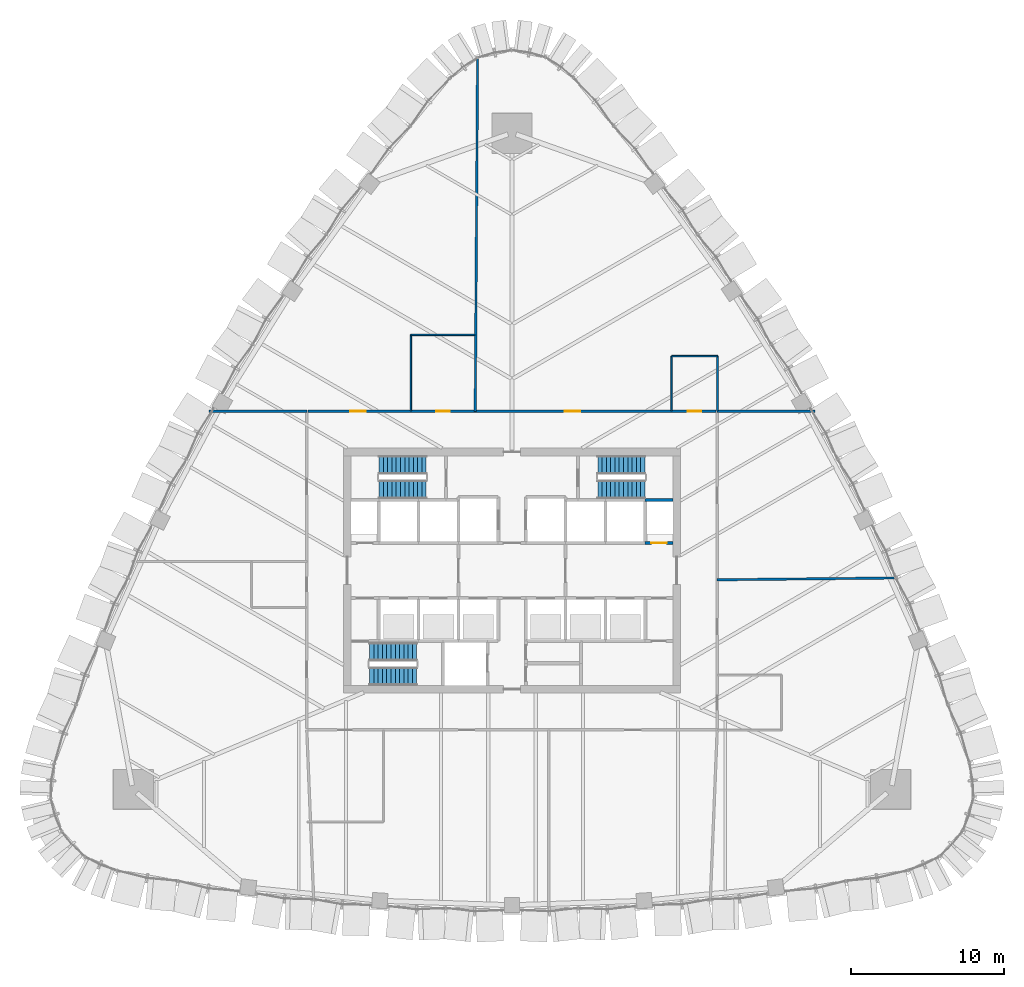
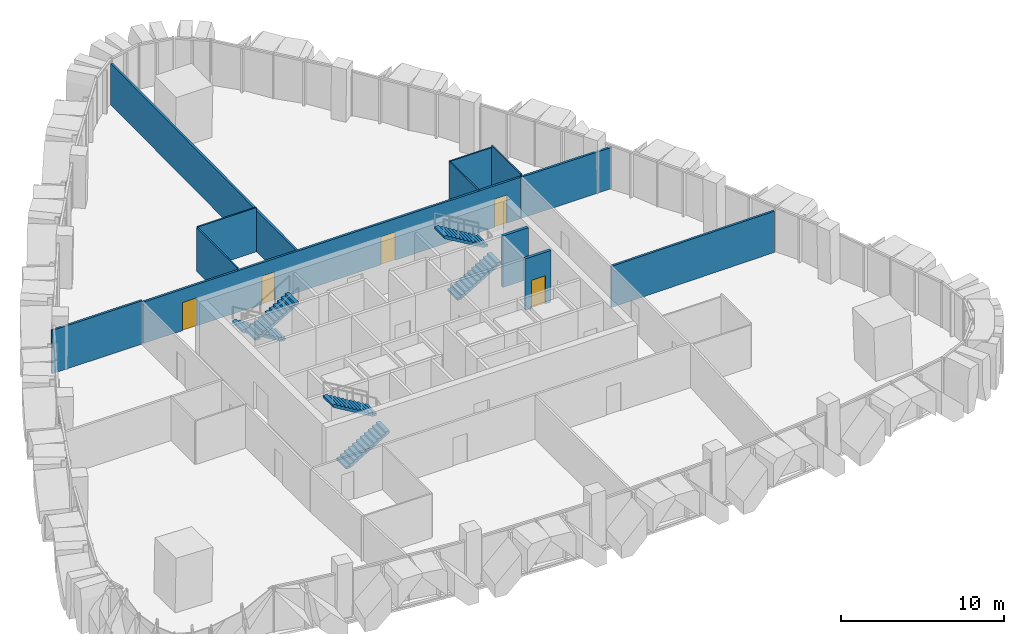
# One storey, part 14 of 18: 12 walls, 6 stair flights, 5 doors, 5 openings, 3 elements without a shape of their own.
"""IFC4 building model written with IfcOpenShell, lengths in metres."""

import ifcopenshell
import ifcopenshell.guid

model = None  # the IFC model being written
_history = None  # IfcOwnerHistory: only IFC2X3 demands one
_inside = {}  # id of a spatial element -> (the spatial element, [elements in it])
_under = {}  # id of a project, library or spatial element -> (it, [spatial elements below it])
_declared = {}  # id of a project -> (the project, [libraries it declares])
_typed = {}  # id of a type object -> (the type object, [elements of that type])
_made_of = {}  # id of a material, layer set ... -> (it, [elements and type objects made of it])


def new_model(schema):
    """Start an empty IFC model of exactly this schema.

    Asked for "IFC4X3", IfcOpenShell would pick the latest addendum, in which some entities
    have other attributes; the version numbers below select the first issue.
    IFC2X3 requires an IfcOwnerHistory on every rooted entity: one is made here for all.
    """
    global model, _history
    if schema == "IFC4X3":
        model = ifcopenshell.file(schema_version=(4, 3, 0, 0))
    else:
        model = ifcopenshell.file(schema=schema)
    _inside.clear()
    _under.clear()
    _declared.clear()
    _typed.clear()
    _made_of.clear()
    _history = None
    if model.schema == "IFC2X3":
        org = make("IfcOrganization", Name="unknown")
        user = make(
            "IfcPersonAndOrganization",
            ThePerson=make("IfcPerson", FamilyName="unknown"),
            TheOrganization=org,
        )
        app = make(
            "IfcApplication",
            ApplicationDeveloper=org,
            Version="unknown",
            ApplicationFullName="unknown",
            ApplicationIdentifier="unknown",
        )
        _history = make(
            "IfcOwnerHistory",
            OwningUser=user,
            OwningApplication=app,
            ChangeAction="ADDED",
            CreationDate=0,
        )
    return model


def make(cls, **values):
    """One entity of the class cls with the attributes given. An attribute that is None is left unset."""
    return model.create_entity(
        cls, **{name: value for name, value in values.items() if value is not None}
    )


def rooted(cls, **values):
    """An entity with a GlobalId (a new one), such as an element, a storey or a relation."""
    return make(cls, GlobalId=ifcopenshell.guid.new(), OwnerHistory=_history, **values)


def si_unit(unit_type, name, prefix=None):
    """IfcSIUnit, for example si_unit("LENGTHUNIT", "METRE", prefix="MILLI")."""
    return make("IfcSIUnit", UnitType=unit_type, Prefix=prefix, Name=name)


def assignment(units):
    """IfcUnitAssignment: the units of a project."""
    return None if units is None else make("IfcUnitAssignment", Units=units)


def point(xyz):
    """IfcCartesianPoint."""
    return None if xyz is None else make("IfcCartesianPoint", Coordinates=xyz)


def direction(xyz):
    """IfcDirection."""
    return None if xyz is None else make("IfcDirection", DirectionRatios=xyz)


def frame(location, z_axis=None, x_axis=None):
    """IfcAxis2Placement3D, a coordinate frame: its origin and axes. An axis left out is left unset."""
    return make(
        "IfcAxis2Placement3D",
        Location=point(location),
        Axis=direction(z_axis),
        RefDirection=direction(x_axis),
    )


def frame_2d(location, x_axis=None):
    """IfcAxis2Placement2D, a coordinate frame in the plane: its origin and x axis."""
    return make(
        "IfcAxis2Placement2D", Location=point(location), RefDirection=direction(x_axis)
    )


def origin():
    """The frame at (0, 0, 0) with its axes left unset."""
    return frame((0.0, 0.0, 0.0))


def place(relative_to, where):
    """IfcLocalPlacement: puts the frame where relative to a parent placement (None: the world)."""
    return make(
        "IfcLocalPlacement", PlacementRelTo=relative_to, RelativePlacement=where
    )


def context(
    kind, dimensions, precision=None, world=None, true_north=None, identifier=None
):
    """IfcGeometricRepresentationContext, for example the 3D "Model" context."""
    return make(
        "IfcGeometricRepresentationContext",
        ContextIdentifier=identifier,
        ContextType=kind,
        CoordinateSpaceDimension=dimensions,
        Precision=precision,
        WorldCoordinateSystem=world,
        TrueNorth=true_north,
    )


def subcontext(parent, identifier, kind, view, scale=None):
    """IfcGeometricRepresentationSubContext, for example "Body" below "Model"."""
    return make(
        "IfcGeometricRepresentationSubContext",
        ContextIdentifier=identifier,
        ContextType=kind,
        ParentContext=parent,
        TargetScale=scale,
        TargetView=view,
    )


def project(units=None, contexts=None):
    """IfcProject with its units and contexts."""
    return rooted(
        "IfcProject",
        Name="project",
        RepresentationContexts=contexts,
        UnitsInContext=assignment(units),
    )


def spatial(cls, under=None, at=None, **own):
    """A site, building, storey or space (cls), placed at a placement, below another one or the project."""
    s = rooted(cls, ObjectPlacement=at, **own)
    if under is not None:
        _under.setdefault(under.id(), (under, []))[1].append(s)
    return s


def polyline(points):
    """IfcPolyline through the points."""
    return make("IfcPolyline", Points=[point(p) for p in points])


def profile(cls, at=None, kind="AREA", **sizes):
    """A parametric profile (cls). Its sizes go by their IFC names, for example OverallWidth=200.0."""
    return make(cls, ProfileType=kind, Position=at, **sizes)


def rectangle(**sizes):
    """IfcRectangleProfileDef."""
    return profile("IfcRectangleProfileDef", **sizes)


def outline(outer, holes=None, kind="AREA"):
    """IfcArbitraryClosedProfileDef: a profile drawn as a closed curve; with holes, ...WithVoids."""
    if holes is None:
        return make("IfcArbitraryClosedProfileDef", ProfileType=kind, OuterCurve=outer)
    return make(
        "IfcArbitraryProfileDefWithVoids",
        ProfileType=kind,
        OuterCurve=outer,
        InnerCurves=holes,
    )


def extrude(swept, where, along, depth):
    """IfcExtrudedAreaSolid: the profile swept, set in the frame where, extruded along a direction by depth."""
    return make(
        "IfcExtrudedAreaSolid",
        SweptArea=swept,
        Position=where,
        ExtrudedDirection=direction(along),
        Depth=depth,
    )


def shape(context_of_items, identifier, shape_type, items):
    """IfcShapeRepresentation: the items that make up one representation, for example the "Body"."""
    return make(
        "IfcShapeRepresentation",
        ContextOfItems=context_of_items,
        RepresentationIdentifier=identifier,
        RepresentationType=shape_type,
        Items=items,
    )


def material(Name=None, Category=None):
    """IfcMaterial."""
    return make("IfcMaterial", Name=Name, Category=Category)


def layer(
    of_material, thickness, ventilated=None, Name=None, Category=None, Priority=None
):
    """IfcMaterialLayer: one layer of a wall or slab, of a material (None: an air gap)."""
    return make(
        "IfcMaterialLayer",
        Material=of_material,
        LayerThickness=thickness,
        IsVentilated=ventilated,
        Name=Name,
        Category=Category,
        Priority=Priority,
    )


def layer_set(layers, Name=None):
    """IfcMaterialLayerSet."""
    return make("IfcMaterialLayerSet", MaterialLayers=layers, LayerSetName=Name)


def made_of(thing, what):
    """Note that an element or type object is made of a material, layer set ...; save() writes the relation."""
    if what is not None:
        _made_of.setdefault(what.id(), (what, []))[1].append(thing)
    return thing


def type_object(cls, material=None, **own):
    """A type object (cls), such as IfcWallType, which elements share."""
    return made_of(rooted(cls, **own), material)


def element(
    cls,
    number,
    at=None,
    inside=None,
    cuts=None,
    type_object=None,
    material=None,
    context=None,
    identifier="Body",
    shape_type=None,
    held_by="IfcProductDefinitionShape",
    body=None,
    shapes=None,
    **own,
):
    """One element of the class cls, such as IfcWall. Its Tag is "e" and its number.

    at: its placement. inside: the storey or other place that contains it. cuts: it is an
    opening in that element (IfcRelVoidsElement). A single representation is given by context,
    identifier, shape_type and body (its items); several are given by shapes. held_by: the class
    of the entity that holds the representations. save() writes the other relations.
    """
    e = rooted(cls, Tag="e%d" % number, ObjectPlacement=at, **own)
    if body is not None:
        shapes = [shape(context, identifier, shape_type, body)]
    if shapes is not None:
        e.Representation = make(held_by, Representations=shapes)
    if inside is not None:
        _inside.setdefault(inside.id(), (inside, []))[1].append(e)
    if cuts is not None:
        rooted(
            "IfcRelVoidsElement", RelatingBuildingElement=cuts, RelatedOpeningElement=e
        )
    if type_object is not None:
        _typed.setdefault(type_object.id(), (type_object, []))[1].append(e)
    return made_of(e, material)


def fill(opening, filler):
    """IfcRelFillsElement: the door or window that sits in an opening."""
    return rooted(
        "IfcRelFillsElement",
        RelatingOpeningElement=opening,
        RelatedBuildingElement=filler,
    )


def aggregate(whole, parts):
    """IfcRelAggregates: a whole, such as a stair, and the parts it consists of."""
    return rooted("IfcRelAggregates", RelatingObject=whole, RelatedObjects=parts)


def save(model, path):
    """Write the relations noted so far, then the file.

    IfcRelAggregates (storeys below a building ...), IfcRelContainedInSpatialStructure (elements
    in a storey), IfcRelDefinesByType, IfcRelAssociatesMaterial and IfcRelDeclares: one each for
    every whole, place, type object, material and project.
    """
    for whole, parts in _under.values():
        aggregate(whole, parts)
    for where, things in _inside.values():
        rooted(
            "IfcRelContainedInSpatialStructure",
            RelatedElements=things,
            RelatingStructure=where,
        )
    for kind, things in _typed.values():
        rooted("IfcRelDefinesByType", RelatedObjects=things, RelatingType=kind)
    for what, things in _made_of.values():
        rooted("IfcRelAssociatesMaterial", RelatedObjects=things, RelatingMaterial=what)
    for by, libraries in _declared.values():
        rooted("IfcRelDeclares", RelatingContext=by, RelatedDefinitions=libraries)
    model.write(path)


model = new_model("IFC4")

# Units and contexts
model_context = context("Model", 3, precision=1e-05, world=origin(), true_north=direction((0.0, 1.0)))
body_context = subcontext(model_context, "Body", "Model", "MODEL_VIEW")
ifc_project = project(units=[si_unit("LENGTHUNIT", "METRE"), si_unit("AREAUNIT", "SQUARE_METRE"), si_unit("VOLUMEUNIT", "CUBIC_METRE"), si_unit("PLANEANGLEUNIT", "RADIAN"), si_unit("MASSUNIT", "GRAM", prefix="KILO")], contexts=[model_context])

# Site, building, storey
site_placement = place(None, origin())
site = spatial("IfcSite", under=ifc_project, at=site_placement, CompositionType="ELEMENT")
building_placement = place(site_placement, origin())
building = spatial("IfcBuilding", under=site, at=building_placement, Name="Sierra Prisma Convention Tower", CompositionType="ELEMENT")
storey_placement = place(building_placement, frame((0.0, 0.0, 137.800048828125)))
storey = spatial("IfcBuildingStorey", under=building, at=storey_placement, Name="L29", CompositionType="ELEMENT", Elevation=137.800048828125)

# Walls
ifc_material_1 = material(Name="Gypsum board partition", Category="gypsum")
ifc_layer_1 = layer(ifc_material_1, 0.10009765625)
ifc_layer_set_1 = layer_set([ifc_layer_1], Name="Bathroom partition 100")
wall_type_1 = type_object("IfcWallType", Name="Bathroom partition 100", PredefinedType="PARTITIONING", material=ifc_layer_set_1)
wall_1_placement = place(storey_placement, frame((-6.60009765625, 10.429931640625, 0.0), z_axis=(0.0, 0.0, 1.0), x_axis=(0.0, 1.0, 0.0)))
element("IfcWall", 1, at=wall_1_placement, inside=storey, type_object=wall_type_1, Name="Partition L29 bath 5", PredefinedType="PARTITIONING", context=body_context, shape_type="SweptSolid", body=[
    extrude(rectangle(XDim=4.969970703125, YDim=0.10009765625, at=frame_2d((2.48486328125, 0.0))), origin(), (0.0, 0.0, 1.0), 3.2470703125),
])
wall_2_placement = place(storey_placement, frame((-6.60009765625, 15.39990234375, 0.0), z_axis=(0.0, 0.0, 1.0), x_axis=(1.0, 0.0, 0.0)))
element("IfcWall", 2, at=wall_2_placement, inside=storey, type_object=wall_type_1, Name="Partition L29 bath 6", PredefinedType="PARTITIONING", context=body_context, shape_type="SweptSolid", body=[
    extrude(rectangle(XDim=4.170166015625, YDim=0.10009765625, at=frame_2d((2.0849609375, 0.0))), origin(), (0.0, 0.0, 1.0), 3.300048828125),
])
wall_3_placement = place(storey_placement, frame((10.419921875, 10.429931640625, 0.0), z_axis=(0.0, 0.0, 1.0), x_axis=(0.0, 1.0, 0.0)))
element("IfcWall", 3, at=wall_3_placement, inside=storey, type_object=wall_type_1, Name="Partition L29 bath 7", PredefinedType="PARTITIONING", context=body_context, shape_type="SweptSolid", body=[
    extrude(rectangle(XDim=3.570068359375, YDim=0.10009765625, at=frame_2d((1.78515625, 0.0))), origin(), (0.0, 0.0, 1.0), 3.096923828125),
])
wall_4_placement = place(storey_placement, frame((10.419921875, 14.0, 0.0), z_axis=(0.0, 0.0, 1.0), x_axis=(1.0, 0.0, 0.0)))
element("IfcWall", 4, at=wall_4_placement, inside=storey, type_object=wall_type_1, Name="Partition L29 bath 8", PredefinedType="PARTITIONING", context=body_context, shape_type="SweptSolid", body=[
    extrude(rectangle(XDim=3.0, YDim=0.10009765625, at=frame_2d((1.5, 0.0))), origin(), (0.0, 0.0, 1.0), 3.096923828125),
])
wall_5_placement = place(storey_placement, frame((13.419921875, 14.0, 0.0), z_axis=(0.0, 0.0, 1.0), x_axis=(0.0, -1.0, 0.0)))
element("IfcWall", 5, at=wall_5_placement, inside=storey, type_object=wall_type_1, Name="Partition L29 bath 9", PredefinedType="PARTITIONING", context=body_context, shape_type="SweptSolid", body=[
    extrude(rectangle(XDim=3.570068359375, YDim=0.10009765625, at=frame_2d((1.78515625, 0.0))), origin(), (0.0, 0.0, 1.0), 3.242919921875),
])

# Wall, opening, door
ifc_material_2 = material(Name="Concrete C30/37", Category="concrete")
ifc_layer_2 = layer(ifc_material_2, 0.199951171875)
ifc_layer_set_2 = layer_set([ifc_layer_2], Name="Core wall RC 200 C30/37")
wall_type_2 = type_object("IfcWallType", Name="Core wall RC 200 C30/37", PredefinedType="SOLIDWALL", material=ifc_layer_set_2)
wall_6_placement = place(storey_placement, frame((10.5, 1.800048828125, 0.0), z_axis=(0.0, 0.0, 1.0), x_axis=(-1.0, 0.0, 0.0)))
wall_6 = element("IfcWall", 6, at=wall_6_placement, inside=storey, type_object=wall_type_2, Name="Core wall L29 66", PredefinedType="SOLIDWALL", context=body_context, shape_type="SweptSolid", body=[
    extrude(rectangle(XDim=1.800048828125, YDim=0.199951171875, at=frame_2d((0.89990234375, 0.0))), origin(), (0.0, 0.0, 1.0), 3.849853515625),
])
opening_1_placement = place(wall_6_placement, frame((0.39990234375, 0.0, 0.0)))
opening_1 = element("IfcOpeningElement", 7, at=opening_1_placement, cuts=wall_6, Name="Opening L29-D016", PredefinedType="OPENING", context=body_context, shape_type="SweptSolid", body=[
    extrude(rectangle(XDim=1.0, YDim=2.10009765625, at=frame_2d((0.5, 1.050048828125))), frame((0.0, 0.10009765625, 0.0), z_axis=(0.0, -1.0, 0.0), x_axis=(1.0, 0.0, 0.0)), (0.0, 0.0, 1.0), 0.199951171875),
])
ifc_material_3 = material(Name="Steel fire door leaf", Category="steel")
door_type_1 = type_object("IfcDoorType", Name="Door 1000x2100 FD60S", OperationType="SINGLE_SWING_LEFT", PredefinedType="DOOR", material=ifc_material_3)
door_1_placement = place(opening_1_placement, origin())
door_1 = element("IfcDoor", 8, at=door_1_placement, inside=storey, type_object=door_type_1, Name="Door L29 29", OperationType="SINGLE_SWING_LEFT", OverallHeight=2.10009765625, OverallWidth=1.0, PredefinedType="DOOR", context=body_context, shape_type="SweptSolid", body=[
    extrude(rectangle(XDim=1.0, YDim=2.10009765625, at=frame_2d((0.5, 1.050048828125))), frame((0.0, 0.02490234375, 0.0), z_axis=(0.0, -1.0, 0.0), x_axis=(1.0, 0.0, 0.0)), (0.0, 0.0, 1.0), 0.050048828125),
])
fill(opening_1, door_1)

# Wall
wall_7_placement = place(storey_placement, frame((10.5, 4.60009765625, 0.0), z_axis=(0.0, 0.0, 1.0), x_axis=(-1.0, 0.0, 0.0)))
element("IfcWall", 9, at=wall_7_placement, inside=storey, type_object=wall_type_2, Name="Core wall L29 68", PredefinedType="SOLIDWALL", context=body_context, shape_type="SweptSolid", body=[
    extrude(rectangle(XDim=1.800048828125, YDim=0.199951171875, at=frame_2d((0.89990234375, 0.0))), origin(), (0.0, 0.0, 1.0), 3.849853515625),
])

# Wall, openings, doors
ifc_material_4 = material(Name="Gypsum board partition", Category="gypsum")
ifc_layer_3 = layer(ifc_material_4, 0.14990234375)
ifc_layer_set_3 = layer_set([ifc_layer_3], Name="Corridor wall 150 gypsum EI 60")
wall_type_3 = type_object("IfcWallType", Name="Corridor wall 150 gypsum EI 60", PredefinedType="PARTITIONING", material=ifc_layer_set_3)
wall_8_placement = place(storey_placement, frame((13.320068359375, 10.39990234375, 0.0), z_axis=(0.0, 0.0, 1.0), x_axis=(-1.0, 0.0, 0.0)))
wall_8 = element("IfcWall", 10, at=wall_8_placement, inside=storey, type_object=wall_type_3, Name="Partition L29 corr 3", PredefinedType="PARTITIONING", context=body_context, shape_type="SweptSolid", body=[
    extrude(rectangle(XDim=26.64013671875, YDim=0.14990234375, at=frame_2d((13.320068359375, 0.0))), origin(), (0.0, 0.0, 1.0), 3.096923828125),
])
opening_2_placement = place(wall_8_placement, frame((0.949951171875, 0.0, 0.0)))
opening_2 = element("IfcOpeningElement", 11, at=opening_2_placement, cuts=wall_8, Name="Opening L29-D025", PredefinedType="OPENING", context=body_context, shape_type="SweptSolid", body=[
    extrude(rectangle(XDim=0.89990234375, YDim=2.10009765625, at=frame_2d((0.449951171875, 1.050048828125))), frame((0.0, 0.074951171875, 0.0), z_axis=(0.0, -1.0, 0.0), x_axis=(1.0, 0.0, 0.0)), (0.0, 0.0, 1.0), 0.14990234375),
])
opening_3_placement = place(wall_8_placement, frame((8.860107421875, 0.0, 0.0)))
opening_3 = element("IfcOpeningElement", 12, at=opening_3_placement, cuts=wall_8, Name="Opening L29-D026", PredefinedType="OPENING", context=body_context, shape_type="SweptSolid", body=[
    extrude(rectangle(XDim=1.0, YDim=2.10009765625, at=frame_2d((0.5, 1.050048828125))), frame((0.0, 0.074951171875, 0.0), z_axis=(0.0, -1.0, 0.0), x_axis=(1.0, 0.0, 0.0)), (0.0, 0.0, 1.0), 0.14990234375),
])
opening_4_placement = place(wall_8_placement, frame((17.3701171875, 0.0, 0.0)))
opening_4 = element("IfcOpeningElement", 13, at=opening_4_placement, cuts=wall_8, Name="Opening L29-D027", PredefinedType="OPENING", context=body_context, shape_type="SweptSolid", body=[
    extrude(rectangle(XDim=0.89990234375, YDim=2.10009765625, at=frame_2d((0.449951171875, 1.050048828125))), frame((0.0, 0.074951171875, 0.0), z_axis=(0.0, -1.0, 0.0), x_axis=(1.0, 0.0, 0.0)), (0.0, 0.0, 1.0), 0.14990234375),
])
opening_5_placement = place(wall_8_placement, frame((22.8798828125, 0.0, 0.0)))
opening_5 = element("IfcOpeningElement", 14, at=opening_5_placement, cuts=wall_8, Name="Opening L29-D028", PredefinedType="OPENING", context=body_context, shape_type="SweptSolid", body=[
    extrude(rectangle(XDim=1.0, YDim=2.10009765625, at=frame_2d((0.5, 1.050048828125))), frame((0.0, 0.074951171875, 0.0), z_axis=(0.0, -1.0, 0.0), x_axis=(1.0, 0.0, 0.0)), (0.0, 0.0, 1.0), 0.14990234375),
])
ifc_material_5 = material(Name="Steel fire door leaf", Category="steel")
door_type_2 = type_object("IfcDoorType", Name="Door 1000x2100 FD30S", OperationType="SINGLE_SWING_LEFT", PredefinedType="DOOR", material=ifc_material_5)
door_2_placement = place(opening_3_placement, origin())
door_2 = element("IfcDoor", 15, at=door_2_placement, inside=storey, type_object=door_type_2, Name="Door L29 3", OperationType="SINGLE_SWING_RIGHT", OverallHeight=2.10009765625, OverallWidth=1.0, PredefinedType="DOOR", context=body_context, shape_type="SweptSolid", body=[
    extrude(rectangle(XDim=1.0, YDim=2.10009765625, at=frame_2d((0.5, 1.050048828125))), frame((0.0, 0.02490234375, 0.0), z_axis=(0.0, -1.0, 0.0), x_axis=(1.0, 0.0, 0.0)), (0.0, 0.0, 1.0), 0.050048828125),
])
fill(opening_3, door_2)
door_3_placement = place(opening_5_placement, origin())
door_3 = element("IfcDoor", 16, at=door_3_placement, inside=storey, type_object=door_type_2, Name="Door L29 5", OperationType="SINGLE_SWING_LEFT", OverallHeight=2.10009765625, OverallWidth=1.0, PredefinedType="DOOR", context=body_context, shape_type="SweptSolid", body=[
    extrude(rectangle(XDim=1.0, YDim=2.10009765625, at=frame_2d((0.5, 1.050048828125))), frame((0.0, 0.02490234375, 0.0), z_axis=(0.0, -1.0, 0.0), x_axis=(1.0, 0.0, 0.0)), (0.0, 0.0, 1.0), 0.050048828125),
])
fill(opening_5, door_3)
ifc_material_6 = material(Name="Steel fire door leaf", Category="steel")
door_type_3 = type_object("IfcDoorType", Name="Door 900x2100 FD30S", OperationType="SINGLE_SWING_LEFT", PredefinedType="DOOR", material=ifc_material_6)
door_4_placement = place(opening_2_placement, origin())
door_4 = element("IfcDoor", 17, at=door_4_placement, inside=storey, type_object=door_type_3, Name="Door L29 2", OperationType="SINGLE_SWING_RIGHT", OverallHeight=2.10009765625, OverallWidth=0.89990234375, PredefinedType="DOOR", context=body_context, shape_type="SweptSolid", body=[
    extrude(rectangle(XDim=0.89990234375, YDim=2.10009765625, at=frame_2d((0.449951171875, 1.050048828125))), frame((0.0, 0.02490234375, 0.0), z_axis=(0.0, -1.0, 0.0), x_axis=(1.0, 0.0, 0.0)), (0.0, 0.0, 1.0), 0.050048828125),
])
fill(opening_2, door_4)
door_5_placement = place(opening_4_placement, origin())
door_5 = element("IfcDoor", 18, at=door_5_placement, inside=storey, type_object=door_type_3, Name="Door L29 4", OperationType="SINGLE_SWING_LEFT", OverallHeight=2.10009765625, OverallWidth=0.89990234375, PredefinedType="DOOR", context=body_context, shape_type="SweptSolid", body=[
    extrude(rectangle(XDim=0.89990234375, YDim=2.10009765625, at=frame_2d((0.449951171875, 1.050048828125))), frame((0.0, 0.02490234375, 0.0), z_axis=(0.0, -1.0, 0.0), x_axis=(1.0, 0.0, 0.0)), (0.0, 0.0, 1.0), 0.050048828125),
])
fill(opening_4, door_5)

# Walls
ifc_material_7 = material(Name="Gypsum board partition", Category="gypsum")
ifc_layer_4 = layer(ifc_material_7, 0.14990234375)
ifc_layer_set_4 = layer_set([ifc_layer_4], Name="Party wall 150 gypsum")
wall_type_4 = type_object("IfcWallType", Name="Party wall 150 gypsum", PredefinedType="PARTITIONING", material=ifc_layer_set_4)
wall_9_placement = place(storey_placement, frame((-13.39990234375, 10.39990234375, 0.0), z_axis=(0.0, 0.0, 1.0), x_axis=(-1.0, 0.0, 0.0)))
element("IfcWall", 19, at=wall_9_placement, inside=storey, type_object=wall_type_4, Name="Partition L29 party 2", PredefinedType="PARTITIONING", context=body_context, shape_type="SweptSolid", body=[
    extrude(rectangle(XDim=6.374267578125, YDim=0.14990234375, at=frame_2d((3.18701171875, 0.0))), origin(), (0.0, 0.0, 1.0), 3.23388671875),
])
wall_10_placement = place(storey_placement, frame((-2.39990234375, 10.39990234375, 0.0), z_axis=(0.0, 0.0, 1.0), x_axis=(0.006592213443, 0.999978271125, 0.0)))
element("IfcWall", 20, at=wall_10_placement, inside=storey, type_object=wall_type_4, Name="Partition L29 party 4", PredefinedType="PARTITIONING", context=body_context, shape_type="SweptSolid", body=[
    extrude(rectangle(XDim=22.99853515625, YDim=0.14990234375, at=frame_2d((11.499267578125, 0.0))), origin(), (0.0, 0.0, 1.0), 3.083984375),
])
wall_11_placement = place(storey_placement, frame((24.9755859375, -0.481689453125, 0.0), z_axis=(0.0, 0.0, 1.0), x_axis=(-0.999947687411, -0.010228511165, 0.0)))
element("IfcWall", 21, at=wall_11_placement, inside=storey, type_object=wall_type_4, Name="Partition L29 party 7", PredefinedType="PARTITIONING", context=body_context, shape_type="SweptSolid", body=[
    extrude(rectangle(XDim=11.576171875, YDim=0.14990234375, at=frame_2d((5.7880859375, 0.0))), origin(), (0.0, 0.0, 1.0), 3.083984375),
])
wall_12_placement = place(storey_placement, frame((13.39990234375, 10.39990234375, 0.0), z_axis=(0.0, 0.0, 1.0), x_axis=(1.0, 0.0, 0.0)))
element("IfcWall", 22, at=wall_12_placement, inside=storey, type_object=wall_type_4, Name="Partition L29 party 8", PredefinedType="PARTITIONING", context=body_context, shape_type="SweptSolid", body=[
    extrude(rectangle(XDim=6.374267578125, YDim=0.14990234375, at=frame_2d((3.18701171875, 0.0))), origin(), (0.0, 0.0, 1.0), 3.083984375),
])

# Stair, stair flights
ifc_material_8 = material(Name="Concrete C30/37", Category="concrete")
stair_type = type_object("IfcStairType", Name="Stair dog-leg 1200 RC", PredefinedType="HALF_TURN_STAIR", material=ifc_material_8)
stair_1_placement = place(storey_placement, origin())
stair_1 = element("IfcStair", 23, at=stair_1_placement, inside=storey, type_object=stair_type, Name="L29 S1", PredefinedType="HALF_TURN_STAIR")
ifc_material_9 = material(Name="Concrete C30/37", Category="concrete")
stair_flight_type = type_object("IfcStairFlightType", Name="Stair flight RC 1200", PredefinedType="STRAIGHT", material=ifc_material_9)
stair_flight_1_placement = place(storey_placement, frame((-9.300048828125, -6.89990234375, 0.0), z_axis=(0.0, 0.0, 1.0), x_axis=(1.0, 0.0, 0.0)))
stair_flight_1 = element("IfcStairFlight", 24, at=stair_flight_1_placement, type_object=stair_flight_type, Name="S1 flight 1", NumberOfRisers=12, NumberOfTreads=11, PredefinedType="STRAIGHT", RiserHeight=0.166666667, TreadLength=0.28, context=body_context, shape_type="SweptSolid", body=[
    extrude(outline(polyline([(0.0, 0.0), (0.0, 0.166748046875), (0.280029296875, 0.166748046875), (0.280029296875, 0.333251953125), (0.56005859375, 0.333251953125), (0.56005859375, 0.5), (0.840087890625, 0.5), (0.840087890625, 0.666748046875), (1.1201171875, 0.666748046875), (1.1201171875, 0.833251953125), (1.39990234375, 0.833251953125), (1.39990234375, 1.0), (1.679931640625, 1.0), (1.679931640625, 1.166748046875), (1.9599609375, 1.166748046875), (1.9599609375, 1.333251953125), (2.239990234375, 1.333251953125), (2.239990234375, 1.5), (2.52001953125, 1.5), (2.52001953125, 1.666748046875), (2.800048828125, 1.666748046875), (2.800048828125, 1.833251953125), (3.080078125, 1.833251953125), (3.080078125, 2.0), (3.080078125, 1.658935546875), (0.29296875, 0.0), (0.0, 0.0)])), frame((0.0, 0.60009765625, 0.0), z_axis=(0.0, -1.0, 0.0), x_axis=(1.0, 0.0, 0.0)), (0.0, 0.0, 1.0), 1.199951171875),
])
stair_flight_2_placement = place(storey_placement, frame((-6.219970703125, -5.300048828125, 2.0), z_axis=(0.0, 0.0, 1.0), x_axis=(-1.0, 0.0, 0.0)))
stair_flight_2 = element("IfcStairFlight", 25, at=stair_flight_2_placement, type_object=stair_flight_type, Name="S1 flight 2", NumberOfRisers=12, NumberOfTreads=11, PredefinedType="STRAIGHT", RiserHeight=0.166666667, TreadLength=0.28, context=body_context, shape_type="SweptSolid", body=[
    extrude(outline(polyline([(0.0, 0.0), (0.0, 0.166748046875), (0.280029296875, 0.166748046875), (0.280029296875, 0.333251953125), (0.56005859375, 0.333251953125), (0.56005859375, 0.5), (0.840087890625, 0.5), (0.840087890625, 0.666748046875), (1.1201171875, 0.666748046875), (1.1201171875, 0.833251953125), (1.39990234375, 0.833251953125), (1.39990234375, 1.0), (1.679931640625, 1.0), (1.679931640625, 1.166748046875), (1.9599609375, 1.166748046875), (1.9599609375, 1.333251953125), (2.239990234375, 1.333251953125), (2.239990234375, 1.5), (2.52001953125, 1.5), (2.52001953125, 1.666748046875), (2.800048828125, 1.666748046875), (2.800048828125, 1.833251953125), (3.080078125, 1.833251953125), (3.080078125, 2.0), (3.080078125, 1.658935546875), (0.29296875, 0.0), (0.0, 0.0)])), frame((0.0, 0.60009765625, 0.0), z_axis=(0.0, -1.0, 0.0), x_axis=(1.0, 0.0, 0.0)), (0.0, 0.0, 1.0), 1.199951171875),
])
aggregate(stair_1, [stair_flight_1, stair_flight_2])

stair_2_placement = place(storey_placement, origin())
stair_2 = element("IfcStair", 26, at=stair_2_placement, inside=storey, type_object=stair_type, Name="L29 S3", PredefinedType="HALF_TURN_STAIR")
stair_flight_3_placement = place(storey_placement, frame((-5.60009765625, 6.89990234375, 0.0), z_axis=(0.0, 0.0, 1.0), x_axis=(-1.0, 0.0, 0.0)))
stair_flight_3 = element("IfcStairFlight", 27, at=stair_flight_3_placement, type_object=stair_flight_type, Name="S3 flight 1", NumberOfRisers=12, NumberOfTreads=11, PredefinedType="STRAIGHT", RiserHeight=0.166666667, TreadLength=0.28, context=body_context, shape_type="SweptSolid", body=[
    extrude(outline(polyline([(0.0, 0.0), (0.0, 0.166748046875), (0.280029296875, 0.166748046875), (0.280029296875, 0.333251953125), (0.56005859375, 0.333251953125), (0.56005859375, 0.5), (0.840087890625, 0.5), (0.840087890625, 0.666748046875), (1.1201171875, 0.666748046875), (1.1201171875, 0.833251953125), (1.39990234375, 0.833251953125), (1.39990234375, 1.0), (1.679931640625, 1.0), (1.679931640625, 1.166748046875), (1.9599609375, 1.166748046875), (1.9599609375, 1.333251953125), (2.239990234375, 1.333251953125), (2.239990234375, 1.5), (2.52001953125, 1.5), (2.52001953125, 1.666748046875), (2.800048828125, 1.666748046875), (2.800048828125, 1.833251953125), (3.080078125, 1.833251953125), (3.080078125, 2.0), (3.080078125, 1.658935546875), (0.29296875, 0.0), (0.0, 0.0)])), frame((0.0, 0.60009765625, 0.0), z_axis=(0.0, -1.0, 0.0), x_axis=(1.0, 0.0, 0.0)), (0.0, 0.0, 1.0), 1.199951171875),
])
stair_flight_4_placement = place(storey_placement, frame((-8.679931640625, 5.300048828125, 2.0), z_axis=(0.0, 0.0, 1.0), x_axis=(1.0, 0.0, 0.0)))
stair_flight_4 = element("IfcStairFlight", 28, at=stair_flight_4_placement, type_object=stair_flight_type, Name="S3 flight 2", NumberOfRisers=12, NumberOfTreads=11, PredefinedType="STRAIGHT", RiserHeight=0.166666667, TreadLength=0.28, context=body_context, shape_type="SweptSolid", body=[
    extrude(outline(polyline([(0.0, 0.0), (0.0, 0.166748046875), (0.280029296875, 0.166748046875), (0.280029296875, 0.333251953125), (0.56005859375, 0.333251953125), (0.56005859375, 0.5), (0.840087890625, 0.5), (0.840087890625, 0.666748046875), (1.1201171875, 0.666748046875), (1.1201171875, 0.833251953125), (1.39990234375, 0.833251953125), (1.39990234375, 1.0), (1.679931640625, 1.0), (1.679931640625, 1.166748046875), (1.9599609375, 1.166748046875), (1.9599609375, 1.333251953125), (2.239990234375, 1.333251953125), (2.239990234375, 1.5), (2.52001953125, 1.5), (2.52001953125, 1.666748046875), (2.800048828125, 1.666748046875), (2.800048828125, 1.833251953125), (3.080078125, 1.833251953125), (3.080078125, 2.0), (3.080078125, 1.658935546875), (0.29296875, 0.0), (0.0, 0.0)])), frame((0.0, 0.60009765625, 0.0), z_axis=(0.0, -1.0, 0.0), x_axis=(1.0, 0.0, 0.0)), (0.0, 0.0, 1.0), 1.199951171875),
])
aggregate(stair_2, [stair_flight_3, stair_flight_4])

stair_3_placement = place(storey_placement, origin())
stair_3 = element("IfcStair", 29, at=stair_3_placement, inside=storey, type_object=stair_type, Name="L29 S4", PredefinedType="HALF_TURN_STAIR")
stair_flight_5_placement = place(storey_placement, frame((5.60009765625, 5.300048828125, 0.0), z_axis=(0.0, 0.0, 1.0), x_axis=(1.0, 0.0, 0.0)))
stair_flight_5 = element("IfcStairFlight", 30, at=stair_flight_5_placement, type_object=stair_flight_type, Name="S4 flight 1", NumberOfRisers=12, NumberOfTreads=11, PredefinedType="STRAIGHT", RiserHeight=0.166666667, TreadLength=0.28, context=body_context, shape_type="SweptSolid", body=[
    extrude(outline(polyline([(0.0, 0.0), (0.0, 0.166748046875), (0.280029296875, 0.166748046875), (0.280029296875, 0.333251953125), (0.56005859375, 0.333251953125), (0.56005859375, 0.5), (0.840087890625, 0.5), (0.840087890625, 0.666748046875), (1.1201171875, 0.666748046875), (1.1201171875, 0.833251953125), (1.39990234375, 0.833251953125), (1.39990234375, 1.0), (1.679931640625, 1.0), (1.679931640625, 1.166748046875), (1.9599609375, 1.166748046875), (1.9599609375, 1.333251953125), (2.239990234375, 1.333251953125), (2.239990234375, 1.5), (2.52001953125, 1.5), (2.52001953125, 1.666748046875), (2.800048828125, 1.666748046875), (2.800048828125, 1.833251953125), (3.080078125, 1.833251953125), (3.080078125, 2.0), (3.080078125, 1.658935546875), (0.29296875, 0.0), (0.0, 0.0)])), frame((0.0, 0.60009765625, 0.0), z_axis=(0.0, -1.0, 0.0), x_axis=(1.0, 0.0, 0.0)), (0.0, 0.0, 1.0), 1.199951171875),
])
stair_flight_6_placement = place(storey_placement, frame((8.679931640625, 6.89990234375, 2.0), z_axis=(0.0, 0.0, 1.0), x_axis=(-1.0, 0.0, 0.0)))
stair_flight_6 = element("IfcStairFlight", 31, at=stair_flight_6_placement, type_object=stair_flight_type, Name="S4 flight 2", NumberOfRisers=12, NumberOfTreads=11, PredefinedType="STRAIGHT", RiserHeight=0.166666667, TreadLength=0.28, context=body_context, shape_type="SweptSolid", body=[
    extrude(outline(polyline([(0.0, 0.0), (0.0, 0.166748046875), (0.280029296875, 0.166748046875), (0.280029296875, 0.333251953125), (0.56005859375, 0.333251953125), (0.56005859375, 0.5), (0.840087890625, 0.5), (0.840087890625, 0.666748046875), (1.1201171875, 0.666748046875), (1.1201171875, 0.833251953125), (1.39990234375, 0.833251953125), (1.39990234375, 1.0), (1.679931640625, 1.0), (1.679931640625, 1.166748046875), (1.9599609375, 1.166748046875), (1.9599609375, 1.333251953125), (2.239990234375, 1.333251953125), (2.239990234375, 1.5), (2.52001953125, 1.5), (2.52001953125, 1.666748046875), (2.800048828125, 1.666748046875), (2.800048828125, 1.833251953125), (3.080078125, 1.833251953125), (3.080078125, 2.0), (3.080078125, 1.658935546875), (0.29296875, 0.0), (0.0, 0.0)])), frame((0.0, 0.60009765625, 0.0), z_axis=(0.0, -1.0, 0.0), x_axis=(1.0, 0.0, 0.0)), (0.0, 0.0, 1.0), 1.199951171875),
])
aggregate(stair_3, [stair_flight_5, stair_flight_6])

save(model, "model.ifc")
